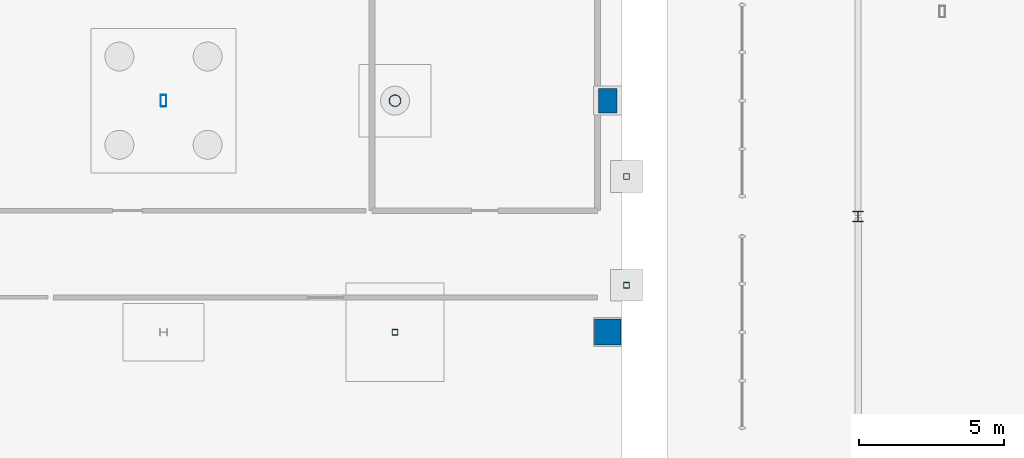
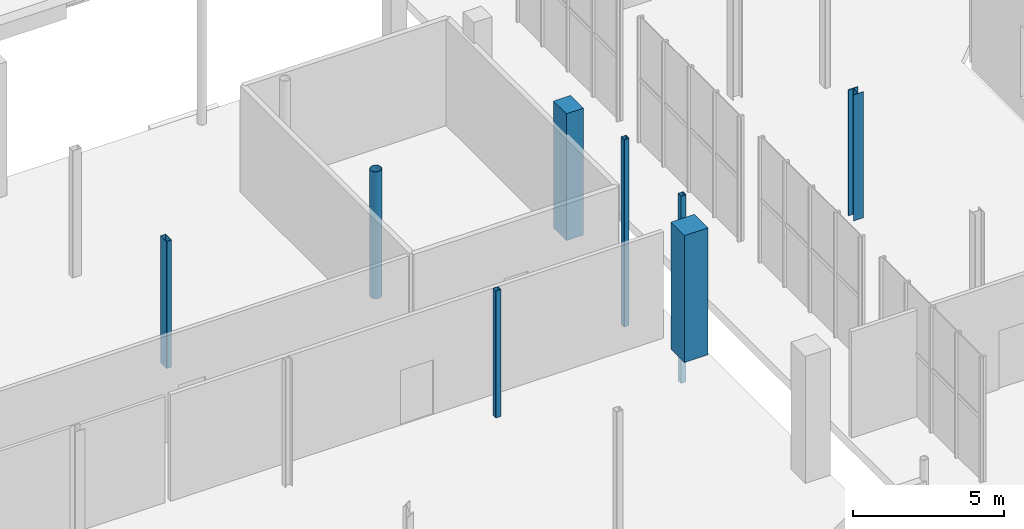
# One storey, part 11 of 87: 8 columns.
"""IFC4 building model written with IfcOpenShell, lengths in metres."""

from ifc_helpers import new_model, si_unit, direction, frame, origin, origin_2d, place, context, subcontext, project, spatial, rectangle, hollow_rectangle, hollow_circle, i_section, extrude, material, material_profile, profile_set, type_object, element, save


model = new_model("IFC4")

# Units and contexts
model_context = context("Model", 3, precision=1e-05, world=origin(), true_north=direction((0.0, 1.0)))
body_context = subcontext(model_context, "Body", "Model", "MODEL_VIEW")
ifc_project = project(units=[si_unit("LENGTHUNIT", "METRE"), si_unit("AREAUNIT", "SQUARE_METRE"), si_unit("VOLUMEUNIT", "CUBIC_METRE"), si_unit("PLANEANGLEUNIT", "RADIAN"), si_unit("MASSUNIT", "GRAM", prefix="KILO")], contexts=[model_context])

# Site, building, storey
site_placement = place(None, origin())
site = spatial("IfcSite", under=ifc_project, at=site_placement, CompositionType="ELEMENT")
building_placement = place(site_placement, origin())
building = spatial("IfcBuilding", under=site, at=building_placement, Name="Brisemont Oceanarium", CompositionType="ELEMENT")
storey_placement = place(building_placement, origin())
storey = spatial("IfcBuildingStorey", under=building, at=storey_placement, Name="L00", CompositionType="ELEMENT", Elevation=0.0)

# Columns
ifc_material_1 = material(Name="Structural Steel ASTM A500 Gr.C", Category="steel")
ifc_material_profile_1 = material_profile(ifc_material_1, hollow_circle(Radius=0.202880859375, WallThickness=0.01171875, at=origin_2d()), Name="HSS16.000X0.500")
ifc_profile_set_1 = profile_set([ifc_material_profile_1], Name="Structural Steel ASTM A500 Gr.C")
column_type_1 = type_object("IfcColumnType", Name="COL-CHS16", PredefinedType="COLUMN", material=ifc_profile_set_1)
column_1_placement = place(storey_placement, frame((48.0, 60.0, 0.0), z_axis=(0.0, 0.0, 1.0), x_axis=(0.0, 1.0, 0.0)))
element("IfcColumn", 1, at=column_1_placement, inside=storey, type_object=column_type_1, Name="V5W L00 column (4,3)", PredefinedType="COLUMN", context=body_context, shape_type="SweptSolid", body=[
    extrude(hollow_circle(Radius=0.202880859375, WallThickness=0.01171875, at=origin_2d()), origin(), (0.0, 0.0, 1.0), 5.1201171875),
])
ifc_material_2 = material(Name="Structural Steel ASTM A500 Gr.C", Category="steel")
ifc_material_profile_2 = material_profile(ifc_material_2, hollow_rectangle(XDim=0.202880859375, YDim=0.406005859375, WallThickness=0.01171875, InnerFilletRadius=0.01220703125, OuterFilletRadius=0.02392578125, at=origin_2d()), Name="HSS16X8X1/2")
ifc_profile_set_2 = profile_set([ifc_material_profile_2], Name="Structural Steel ASTM A500 Gr.C")
column_type_2 = type_object("IfcColumnType", Name="COL-HSS16X8", PredefinedType="COLUMN", material=ifc_profile_set_2)
column_2_placement = place(storey_placement, frame((40.0, 60.0, 0.0), z_axis=(0.0, 0.0, 1.0), x_axis=(1.0, 0.0, 0.0)))
element("IfcColumn", 2, at=column_2_placement, inside=storey, type_object=column_type_2, Name="V5W L00 column (3,3)", PredefinedType="COLUMN", context=body_context, shape_type="SweptSolid", body=[
    extrude(hollow_rectangle(XDim=0.202880859375, YDim=0.406005859375, WallThickness=0.01171875, InnerFilletRadius=0.01220703125, OuterFilletRadius=0.02392578125, at=origin_2d()), origin(), (0.0, 0.0, 1.0), 5.1201171875),
])
ifc_material_3 = material(Name="Structural Steel ASTM A500 Gr.C", Category="steel")
ifc_material_profile_3 = material_profile(ifc_material_3, hollow_rectangle(XDim=0.202880859375, YDim=0.202880859375, WallThickness=0.0087890625, InnerFilletRadius=0.009033203125, OuterFilletRadius=0.01806640625, at=origin_2d()), Name="HSS8X8X3/8")
ifc_profile_set_3 = profile_set([ifc_material_profile_3], Name="Structural Steel ASTM A500 Gr.C")
column_type_3 = type_object("IfcColumnType", Name="COL-HSS8X8", PredefinedType="COLUMN", material=ifc_profile_set_3)
column_3_placement = place(storey_placement, frame((48.0, 52.0, 0.0), z_axis=(0.0, 0.0, 1.0), x_axis=(1.0, 0.0, 0.0)))
element("IfcColumn", 3, at=column_3_placement, inside=storey, type_object=column_type_3, Name="V5W L00 column (4,2)", PredefinedType="COLUMN", context=body_context, shape_type="SweptSolid", body=[
    extrude(hollow_rectangle(XDim=0.202880859375, YDim=0.202880859375, WallThickness=0.0087890625, InnerFilletRadius=0.009033203125, OuterFilletRadius=0.01806640625, at=origin_2d()), origin(), (0.0, 0.0, 1.0), 5.1201171875),
])
for number, where, z_axis, x_axis, name in (
    (4, (56.0, 53.6201171875, -2.39990234375), (0.0, 0.0, 1.0), (1.0, 0.0, 0.0), "Seismic bridge pier L00"),
    (5, (56.0, 57.3798828125, -2.39990234375), (0.0, 0.0, 1.0), (1.0, 0.0, 0.0), "Seismic bridge pier L00"),
):
    element("IfcColumn", number, at=place(storey_placement, frame(where, z_axis=z_axis, x_axis=x_axis)), inside=storey, type_object=column_type_3, Name=name, PredefinedType="COLUMN", context=body_context, shape_type="SweptSolid", body=[
        extrude(hollow_rectangle(XDim=0.202880859375, YDim=0.202880859375, WallThickness=0.0087890625, InnerFilletRadius=0.009033203125, OuterFilletRadius=0.01806640625, at=origin_2d()), origin(), (0.0, 0.0, 1.0), 7.559814453125),
    ])
ifc_material_4 = material(Name="Concrete C40/50", Category="concrete")
ifc_material_profile_4 = material_profile(ifc_material_4, rectangle(XDim=0.89990234375, YDim=0.89990234375, at=origin_2d()), Name="RC-COL-900X900")
ifc_profile_set_4 = profile_set([ifc_material_profile_4], Name="Concrete C40/50")
column_type_4 = type_object("IfcColumnType", Name="COL-RC900", PredefinedType="COLUMN", material=ifc_profile_set_4)
column_4_placement = place(storey_placement, frame((55.35009765625, 52.0, 0.0), z_axis=(0.0, 0.0, 1.0), x_axis=(0.0, 1.0, 0.0)))
element("IfcColumn", 6, at=column_4_placement, inside=storey, type_object=column_type_4, Name="V5W L00 column (5,2)", PredefinedType="COLUMN", context=body_context, shape_type="SweptSolid", body=[
    extrude(rectangle(XDim=0.89990234375, YDim=0.89990234375, at=origin_2d()), origin(), (0.0, 0.0, 1.0), 5.1201171875),
])
ifc_material_5 = material(Name="Structural Steel ASTM A992 Gr.50", Category="steel")
ifc_material_profile_5 = material_profile(ifc_material_5, i_section(OverallWidth=0.37109375, OverallDepth=0.364013671875, WebThickness=0.01318359375, FlangeThickness=0.021728515625, FilletRadius=0.014892578125, at=origin_2d()), Name="W14X109")
ifc_profile_set_5 = profile_set([ifc_material_profile_5], Name="Structural Steel ASTM A992 Gr.50")
column_type_5 = type_object("IfcColumnType", Name="COL-W14X109", PredefinedType="COLUMN", material=ifc_profile_set_5)
column_5_placement = place(storey_placement, frame((64.0, 56.0, 0.0), z_axis=(0.0, 0.0, 1.0), x_axis=(1.0, 0.0, 0.0)))
element("IfcColumn", 7, at=column_5_placement, inside=storey, type_object=column_type_5, Name="V1 L00 column (1,3)", PredefinedType="COLUMN", context=body_context, shape_type="SweptSolid", body=[
    extrude(i_section(OverallWidth=0.37109375, OverallDepth=0.364013671875, WebThickness=0.01318359375, FlangeThickness=0.021728515625, FilletRadius=0.014892578125, at=origin_2d()), origin(), (0.0, 0.0, 1.0), 5.080078125),
])
ifc_material_6 = material(Name="Precast Concrete C40/50", Category="concrete")
ifc_material_profile_6 = material_profile(ifc_material_6, rectangle(XDim=0.64990234375, YDim=0.85009765625, at=origin_2d()), Name="RC-PIL-650X850")
ifc_profile_set_6 = profile_set([ifc_material_profile_6], Name="Precast Concrete C40/50")
column_type_6 = type_object("IfcColumnType", Name="PIL-RC650X850", PredefinedType="PILASTER", material=ifc_profile_set_6)
column_6_placement = place(storey_placement, frame((55.35009765625, 60.0, 0.0), z_axis=(0.0, 0.0, 1.0), x_axis=(1.0, 0.0, 0.0)))
element("IfcColumn", 8, at=column_6_placement, inside=storey, type_object=column_type_6, Name="V5W L00 column (5,3)", PredefinedType="PILASTER", context=body_context, shape_type="SweptSolid", body=[
    extrude(rectangle(XDim=0.64990234375, YDim=0.85009765625, at=origin_2d()), origin(), (0.0, 0.0, 1.0), 5.1201171875),
])

save(model, "model.ifc")
